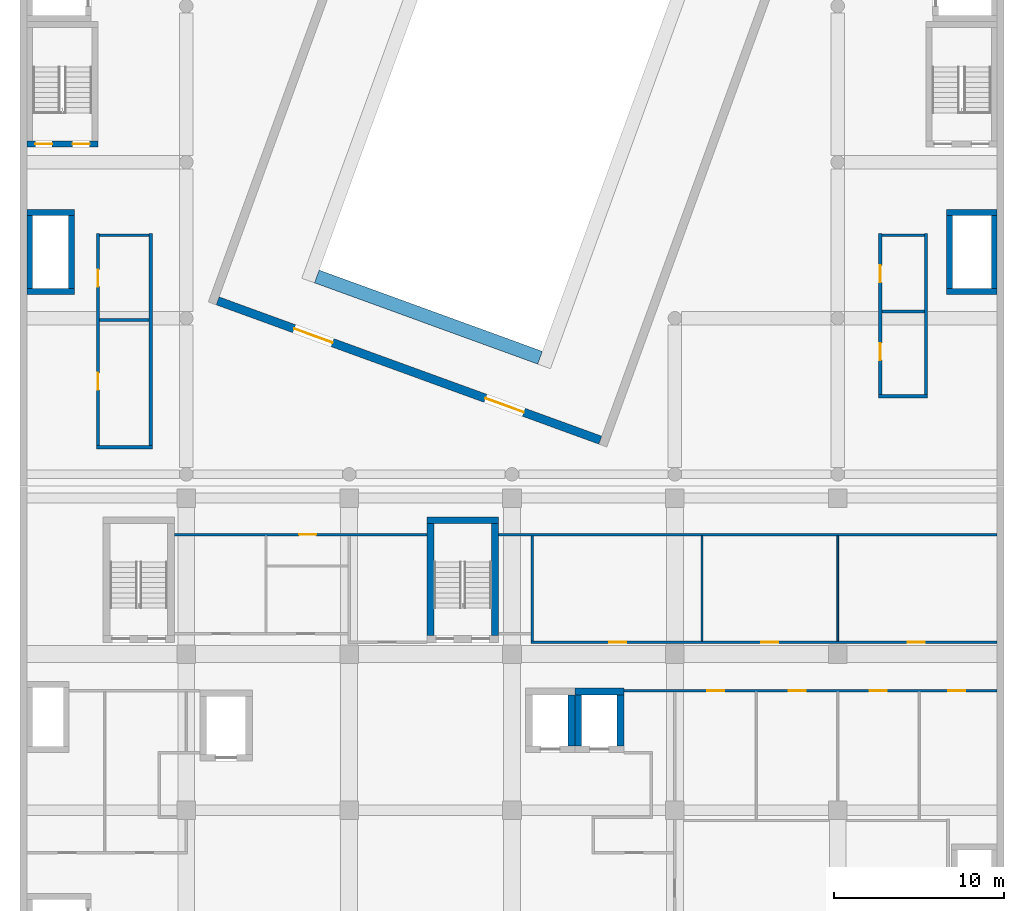
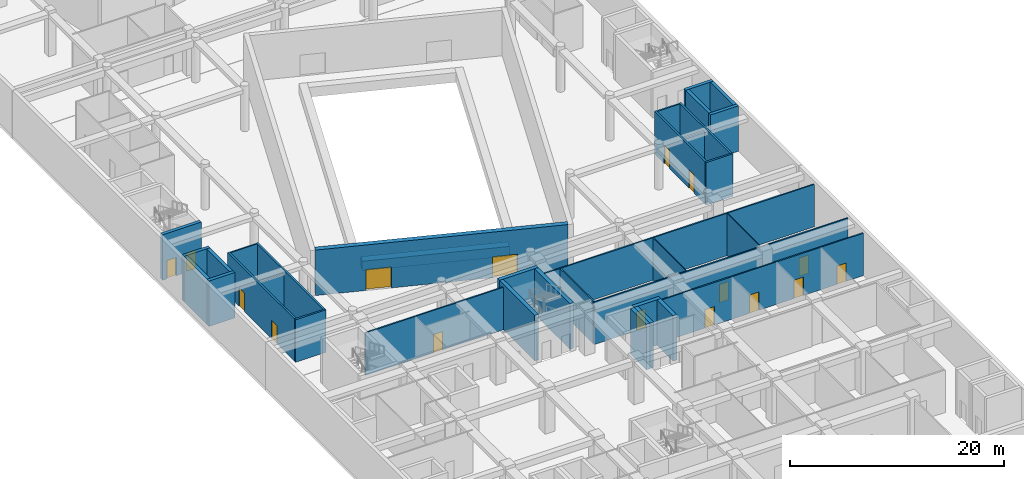
# One storey, part 11 of 31: 35 walls, 16 doors, 16 openings.
"""IFC4 building model written with IfcOpenShell, lengths in metres."""

from ifc_helpers import new_model, si_unit, direction, frame, frame_2d, origin, place, context, subcontext, project, spatial, rectangle, extrude, material, layer, layer_set, type_object, element, fill, save


model = new_model("IFC4")

# Units and contexts
model_context = context("Model", 3, precision=1e-05, world=origin(), true_north=direction((0.0, 1.0)))
body_context = subcontext(model_context, "Body", "Model", "MODEL_VIEW")
ifc_project = project(units=[si_unit("LENGTHUNIT", "METRE"), si_unit("AREAUNIT", "SQUARE_METRE"), si_unit("VOLUMEUNIT", "CUBIC_METRE"), si_unit("PLANEANGLEUNIT", "RADIAN"), si_unit("MASSUNIT", "GRAM", prefix="KILO")], contexts=[model_context])

# Site, building, storey
site_placement = place(None, origin())
site = spatial("IfcSite", under=ifc_project, at=site_placement, CompositionType="ELEMENT")
building_placement = place(site_placement, origin())
building = spatial("IfcBuilding", under=site, at=building_placement, Name="Nzadi Deep Aquarium and Research Tower", CompositionType="ELEMENT")
storey_placement = place(building_placement, frame((0.0, 0.0, 26.699951171875)))
storey = spatial("IfcBuildingStorey", under=building, at=storey_placement, Name="L04", CompositionType="ELEMENT", Elevation=26.699951171875)

# Walls
ifc_material_1 = material(Name="Blockwork masonry", Category="masonry")
ifc_layer_1 = layer(ifc_material_1, 0.10009765625)
ifc_layer_set_1 = layer_set([ifc_layer_1], Name="Blockwork masonry")
wall_type_1 = type_object("IfcWallType", Name="Partition 100 EI 30", PredefinedType="PARTITIONING", material=ifc_layer_set_1)
for number, where, z_axis, x_axis, name in (
    (1, (40.0, 37.574951171875, 0.0), (0.0, 0.0, 1.0), (0.0, 1.0, 0.0), "W-Z1-L04-P049"),
    (2, (48.0, 37.574951171875, 0.0), (0.0, 0.0, 1.0), (0.0, 1.0, 0.0), "W-Z1-L04-P055"),
):
    element("IfcWall", number, at=place(storey_placement, frame(where, z_axis=z_axis, x_axis=x_axis)), inside=storey, type_object=wall_type_1, Name=name, PredefinedType="PARTITIONING", context=body_context, shape_type="SweptSolid", body=[
        extrude(rectangle(XDim=6.199951171875, YDim=0.10009765625, at=frame_2d((3.10009765625, 0.0))), origin(), (0.0, 0.0, 1.0), 4.85009765625),
    ])

# Wall, opening, door
ifc_material_2 = material(Name="Blockwork masonry", Category="masonry")
ifc_layer_2 = layer(ifc_material_2, 0.14990234375)
ifc_layer_set_2 = layer_set([ifc_layer_2], Name="Blockwork masonry")
wall_type_2 = type_object("IfcWallType", Name="Partition 150 EI 60", PredefinedType="PARTITIONING", material=ifc_layer_set_2)
wall_1_placement = place(storey_placement, frame((8.906005859375, 43.85009765625, 0.0), z_axis=(0.0, 0.0, 1.0), x_axis=(1.0, 0.0, 0.0)))
wall_1 = element("IfcWall", 3, at=wall_1_placement, inside=storey, type_object=wall_type_2, Name="W-Z1-L04-P011", PredefinedType="PARTITIONING", context=body_context, shape_type="SweptSolid", body=[
    extrude(rectangle(XDim=14.887939453125, YDim=0.14990234375, at=frame_2d((7.44384765625, 0.0))), origin(), (0.0, 0.0, 1.0), 4.85009765625),
])
opening_1_placement = place(wall_1_placement, frame((7.343994140625, 0.0, 0.0)))
opening_1 = element("IfcOpeningElement", 4, at=opening_1_placement, cuts=wall_1, Name="Opening D051024", PredefinedType="OPENING", context=body_context, shape_type="SweptSolid", body=[
    extrude(rectangle(XDim=1.0, YDim=2.10009765625, at=frame_2d((0.5, 1.050048828125))), frame((0.0, 0.0849609375, 0.0), z_axis=(0.0, -1.0, 0.0), x_axis=(1.0, 0.0, 0.0)), (0.0, 0.0, 1.0), 0.169921875),
])
ifc_material_3 = material(Name="Fire-rated steel door", Category="steel")
ifc_layer_3 = layer(ifc_material_3, 0.050048828125)
ifc_layer_set_3 = layer_set([ifc_layer_3], Name="Fire-rated steel door")
door_type_1 = type_object("IfcDoorType", Name="Door 1000x2100 EI 60 single", OperationType="SINGLE_SWING_LEFT", PredefinedType="DOOR", material=ifc_layer_set_3)
door_1_placement = place(opening_1_placement, origin())
door_1 = element("IfcDoor", 5, at=door_1_placement, inside=storey, type_object=door_type_1, Name="D051024", OperationType="SINGLE_SWING_LEFT", OverallHeight=2.10009765625, OverallWidth=1.0, PredefinedType="DOOR", context=body_context, shape_type="SweptSolid", body=[
    extrude(rectangle(XDim=1.0, YDim=2.10009765625, at=frame_2d((0.5, 1.050048828125))), frame((0.0, 0.02490234375, 0.0), z_axis=(0.0, -1.0, 0.0), x_axis=(1.0, 0.0, 0.0)), (0.0, 0.0, 1.0), 0.050048828125),
])
fill(opening_1, door_1)

# Wall
wall_2_placement = place(storey_placement, frame((28.006103515625, 43.85009765625, 0.0), z_axis=(0.0, 0.0, 1.0), x_axis=(1.0, 0.0, 0.0)))
element("IfcWall", 6, at=wall_2_placement, inside=storey, type_object=wall_type_2, Name="W-Z1-L04-P026", PredefinedType="PARTITIONING", context=body_context, shape_type="SweptSolid", body=[
    extrude(rectangle(XDim=29.387939453125, YDim=0.14990234375, at=frame_2d((14.69384765625, 0.0))), origin(), (0.0, 0.0, 1.0), 4.85009765625),
])

# Wall, openings, doors
wall_3_placement = place(storey_placement, frame((29.925048828125, 37.5, 0.0), z_axis=(0.0, 0.0, 1.0), x_axis=(1.0, 0.0, 0.0)))
wall_3 = element("IfcWall", 7, at=wall_3_placement, inside=storey, type_object=wall_type_2, Name="W-Z1-L04-P033", PredefinedType="PARTITIONING", context=body_context, shape_type="SweptSolid", body=[
    extrude(rectangle(XDim=27.468994140625, YDim=0.14990234375, at=frame_2d((13.734375, 0.0))), origin(), (0.0, 0.0, 1.0), 4.85009765625),
])
opening_2_placement = place(wall_3_placement, frame((4.610107421875, 0.0, 0.0)))
opening_2 = element("IfcOpeningElement", 8, at=opening_2_placement, cuts=wall_3, Name="Opening D051017", PredefinedType="OPENING", context=body_context, shape_type="SweptSolid", body=[
    extrude(rectangle(XDim=1.0, YDim=2.10009765625, at=frame_2d((0.5, 1.050048828125))), frame((0.0, 0.0849609375, 0.0), z_axis=(0.0, -1.0, 0.0), x_axis=(1.0, 0.0, 0.0)), (0.0, 0.0, 1.0), 0.169921875),
])
opening_3_placement = place(wall_3_placement, frame((13.574951171875, 0.0, 0.0)))
opening_3 = element("IfcOpeningElement", 9, at=opening_3_placement, cuts=wall_3, Name="Opening D051018", PredefinedType="OPENING", context=body_context, shape_type="SweptSolid", body=[
    extrude(rectangle(XDim=1.0, YDim=2.10009765625, at=frame_2d((0.5, 1.050048828125))), frame((0.0, 0.0849609375, 0.0), z_axis=(0.0, -1.0, 0.0), x_axis=(1.0, 0.0, 0.0)), (0.0, 0.0, 1.0), 0.169921875),
])
opening_4_placement = place(wall_3_placement, frame((22.198974609375, 0.0, 0.0)))
opening_4 = element("IfcOpeningElement", 10, at=opening_4_placement, cuts=wall_3, Name="Opening D051019", PredefinedType="OPENING", context=body_context, shape_type="SweptSolid", body=[
    extrude(rectangle(XDim=1.0, YDim=2.10009765625, at=frame_2d((0.5, 1.050048828125))), frame((0.0, 0.0849609375, 0.0), z_axis=(0.0, -1.0, 0.0), x_axis=(1.0, 0.0, 0.0)), (0.0, 0.0, 1.0), 0.169921875),
])
door_2_placement = place(opening_2_placement, origin())
door_2 = element("IfcDoor", 11, at=door_2_placement, inside=storey, type_object=door_type_1, Name="D051017", OperationType="SINGLE_SWING_LEFT", OverallHeight=2.10009765625, OverallWidth=1.0, PredefinedType="DOOR", context=body_context, shape_type="SweptSolid", body=[
    extrude(rectangle(XDim=1.0, YDim=2.10009765625, at=frame_2d((0.5, 1.050048828125))), frame((0.0, 0.02490234375, 0.0), z_axis=(0.0, -1.0, 0.0), x_axis=(1.0, 0.0, 0.0)), (0.0, 0.0, 1.0), 0.050048828125),
])
fill(opening_2, door_2)
door_3_placement = place(opening_3_placement, origin())
door_3 = element("IfcDoor", 12, at=door_3_placement, inside=storey, type_object=door_type_1, Name="D051018", OperationType="SINGLE_SWING_RIGHT", OverallHeight=2.10009765625, OverallWidth=1.0, PredefinedType="DOOR", context=body_context, shape_type="SweptSolid", body=[
    extrude(rectangle(XDim=1.0, YDim=2.10009765625, at=frame_2d((0.5, 1.050048828125))), frame((0.0, 0.02490234375, 0.0), z_axis=(0.0, -1.0, 0.0), x_axis=(1.0, 0.0, 0.0)), (0.0, 0.0, 1.0), 0.050048828125),
])
fill(opening_3, door_3)
door_4_placement = place(opening_4_placement, origin())
door_4 = element("IfcDoor", 13, at=door_4_placement, inside=storey, type_object=door_type_1, Name="D051019", OperationType="SINGLE_SWING_RIGHT", OverallHeight=2.10009765625, OverallWidth=1.0, PredefinedType="DOOR", context=body_context, shape_type="SweptSolid", body=[
    extrude(rectangle(XDim=1.0, YDim=2.10009765625, at=frame_2d((0.5, 1.050048828125))), frame((0.0, 0.02490234375, 0.0), z_axis=(0.0, -1.0, 0.0), x_axis=(1.0, 0.0, 0.0)), (0.0, 0.0, 1.0), 0.050048828125),
])
fill(opening_4, door_4)

# Wall
wall_4_placement = place(storey_placement, frame((30.0, 37.574951171875, 0.0), z_axis=(0.0, 0.0, 1.0), x_axis=(0.0, 1.0, 0.0)))
element("IfcWall", 14, at=wall_4_placement, inside=storey, type_object=wall_type_2, Name="W-Z1-L04-P034", PredefinedType="PARTITIONING", context=body_context, shape_type="SweptSolid", body=[
    extrude(rectangle(XDim=6.199951171875, YDim=0.14990234375, at=frame_2d((3.10009765625, 0.0))), origin(), (0.0, 0.0, 1.0), 4.85009765625),
])

# Wall, openings, doors
wall_5_placement = place(storey_placement, frame((35.406005859375, 34.64990234375, 0.0), z_axis=(0.0, 0.0, 1.0), x_axis=(1.0, 0.0, 0.0)))
wall_5 = element("IfcWall", 15, at=wall_5_placement, inside=storey, type_object=wall_type_2, Name="W-Z1-L04-P040", PredefinedType="PARTITIONING", context=body_context, shape_type="SweptSolid", body=[
    extrude(rectangle(XDim=21.988037109375, YDim=0.14990234375, at=frame_2d((10.994140625, 0.0))), origin(), (0.0, 0.0, 1.0), 4.85009765625),
])
opening_5_placement = place(wall_5_placement, frame((4.89404296875, 0.0, 0.0)))
opening_5 = element("IfcOpeningElement", 16, at=opening_5_placement, cuts=wall_5, Name="Opening D051009", PredefinedType="OPENING", context=body_context, shape_type="SweptSolid", body=[
    extrude(rectangle(XDim=1.0, YDim=2.10009765625, at=frame_2d((0.5, 1.050048828125))), frame((0.0, 0.0849609375, 0.0), z_axis=(0.0, -1.0, 0.0), x_axis=(1.0, 0.0, 0.0)), (0.0, 0.0, 1.0), 0.169921875),
])
opening_6_placement = place(wall_5_placement, frame((9.694091796875, 0.0, 0.0)))
opening_6 = element("IfcOpeningElement", 17, at=opening_6_placement, cuts=wall_5, Name="Opening D051010", PredefinedType="OPENING", context=body_context, shape_type="SweptSolid", body=[
    extrude(rectangle(XDim=1.0, YDim=2.10009765625, at=frame_2d((0.5, 1.050048828125))), frame((0.0, 0.0849609375, 0.0), z_axis=(0.0, -1.0, 0.0), x_axis=(1.0, 0.0, 0.0)), (0.0, 0.0, 1.0), 0.169921875),
])
opening_7_placement = place(wall_5_placement, frame((14.493896484375, 0.0, 0.0)))
opening_7 = element("IfcOpeningElement", 18, at=opening_7_placement, cuts=wall_5, Name="Opening D051011", PredefinedType="OPENING", context=body_context, shape_type="SweptSolid", body=[
    extrude(rectangle(XDim=1.0, YDim=2.10009765625, at=frame_2d((0.5, 1.050048828125))), frame((0.0, 0.0849609375, 0.0), z_axis=(0.0, -1.0, 0.0), x_axis=(1.0, 0.0, 0.0)), (0.0, 0.0, 1.0), 0.169921875),
])
opening_8_placement = place(wall_5_placement, frame((19.117919921875, 0.0, 0.0)))
opening_8 = element("IfcOpeningElement", 19, at=opening_8_placement, cuts=wall_5, Name="Opening D051012", PredefinedType="OPENING", context=body_context, shape_type="SweptSolid", body=[
    extrude(rectangle(XDim=1.0, YDim=2.10009765625, at=frame_2d((0.5, 1.050048828125))), frame((0.0, 0.0849609375, 0.0), z_axis=(0.0, -1.0, 0.0), x_axis=(1.0, 0.0, 0.0)), (0.0, 0.0, 1.0), 0.169921875),
])
door_5_placement = place(opening_5_placement, origin())
door_5 = element("IfcDoor", 20, at=door_5_placement, inside=storey, type_object=door_type_1, Name="D051009", OperationType="SINGLE_SWING_RIGHT", OverallHeight=2.10009765625, OverallWidth=1.0, PredefinedType="DOOR", context=body_context, shape_type="SweptSolid", body=[
    extrude(rectangle(XDim=1.0, YDim=2.10009765625, at=frame_2d((0.5, 1.050048828125))), frame((0.0, 0.02490234375, 0.0), z_axis=(0.0, -1.0, 0.0), x_axis=(1.0, 0.0, 0.0)), (0.0, 0.0, 1.0), 0.050048828125),
])
fill(opening_5, door_5)
door_6_placement = place(opening_6_placement, origin())
door_6 = element("IfcDoor", 21, at=door_6_placement, inside=storey, type_object=door_type_1, Name="D051010", OperationType="SINGLE_SWING_RIGHT", OverallHeight=2.10009765625, OverallWidth=1.0, PredefinedType="DOOR", context=body_context, shape_type="SweptSolid", body=[
    extrude(rectangle(XDim=1.0, YDim=2.10009765625, at=frame_2d((0.5, 1.050048828125))), frame((0.0, 0.02490234375, 0.0), z_axis=(0.0, -1.0, 0.0), x_axis=(1.0, 0.0, 0.0)), (0.0, 0.0, 1.0), 0.050048828125),
])
fill(opening_6, door_6)
door_7_placement = place(opening_7_placement, origin())
door_7 = element("IfcDoor", 22, at=door_7_placement, inside=storey, type_object=door_type_1, Name="D051011", OperationType="SINGLE_SWING_LEFT", OverallHeight=2.10009765625, OverallWidth=1.0, PredefinedType="DOOR", context=body_context, shape_type="SweptSolid", body=[
    extrude(rectangle(XDim=1.0, YDim=2.10009765625, at=frame_2d((0.5, 1.050048828125))), frame((0.0, 0.02490234375, 0.0), z_axis=(0.0, -1.0, 0.0), x_axis=(1.0, 0.0, 0.0)), (0.0, 0.0, 1.0), 0.050048828125),
])
fill(opening_7, door_7)
door_8_placement = place(opening_8_placement, origin())
door_8 = element("IfcDoor", 23, at=door_8_placement, inside=storey, type_object=door_type_1, Name="D051012", OperationType="SINGLE_SWING_LEFT", OverallHeight=2.10009765625, OverallWidth=1.0, PredefinedType="DOOR", context=body_context, shape_type="SweptSolid", body=[
    extrude(rectangle(XDim=1.0, YDim=2.10009765625, at=frame_2d((0.5, 1.050048828125))), frame((0.0, 0.02490234375, 0.0), z_axis=(0.0, -1.0, 0.0), x_axis=(1.0, 0.0, 0.0)), (0.0, 0.0, 1.0), 0.050048828125),
])
fill(opening_8, door_8)

# Walls
wall_6_placement = place(storey_placement, frame((4.5, 61.5, 0.0), z_axis=(0.0, 0.0, 1.0), x_axis=(1.0, 0.0, 0.0)))
element("IfcWall", 24, at=wall_6_placement, inside=storey, type_object=wall_type_2, Name="W-Z2-L04-P009", PredefinedType="PARTITIONING", context=body_context, shape_type="SweptSolid", body=[
    extrude(rectangle(XDim=2.89990234375, YDim=0.14990234375, at=frame_2d((1.449951171875, 0.0))), origin(), (0.0, 0.0, 1.0), 4.85009765625),
])
wall_7_placement = place(storey_placement, frame((50.60009765625, 61.5, 0.0), z_axis=(0.0, 0.0, 1.0), x_axis=(1.0, 0.0, 0.0)))
element("IfcWall", 25, at=wall_7_placement, inside=storey, type_object=wall_type_2, Name="W-Z2-L04-P019", PredefinedType="PARTITIONING", context=body_context, shape_type="SweptSolid", body=[
    extrude(rectangle(XDim=2.5, YDim=0.14990234375, at=frame_2d((1.25, 0.0))), origin(), (0.0, 0.0, 1.0), 4.85009765625),
])
ifc_material_4 = material(Name="Blockwork masonry", Category="masonry")
ifc_layer_4 = layer(ifc_material_4, 0.199951171875)
ifc_layer_set_4 = layer_set([ifc_layer_4], Name="Blockwork masonry")
wall_type_3 = type_object("IfcWallType", Name="Partition 200 EI 120", PredefinedType="PARTITIONING", material=ifc_layer_set_4)
wall_8_placement = place(storey_placement, frame((4.300048828125, 49.0, 0.0), z_axis=(0.0, 0.0, 1.0), x_axis=(1.0, 0.0, 0.0)))
element("IfcWall", 26, at=wall_8_placement, inside=storey, type_object=wall_type_3, Name="W-Z2-L04-P001", PredefinedType="PARTITIONING", context=body_context, shape_type="SweptSolid", body=[
    extrude(rectangle(XDim=3.300048828125, YDim=0.199951171875, at=frame_2d((1.64990234375, 0.0))), origin(), (0.0, 0.0, 1.0), 4.85009765625),
])

# Wall, openings, doors
wall_9_placement = place(storey_placement, frame((4.39990234375, 49.10009765625, 0.0), z_axis=(0.0, 0.0, 1.0), x_axis=(0.0, 1.0, 0.0)))
wall_9 = element("IfcWall", 27, at=wall_9_placement, inside=storey, type_object=wall_type_3, Name="W-Z2-L04-P002", PredefinedType="PARTITIONING", context=body_context, shape_type="SweptSolid", body=[
    extrude(rectangle(XDim=12.5, YDim=0.199951171875, at=frame_2d((6.25, 0.0))), origin(), (0.0, 0.0, 1.0), 4.85009765625),
])
opening_9_placement = place(wall_9_placement, frame((3.284912109375, 0.0, 0.0)))
opening_9 = element("IfcOpeningElement", 28, at=opening_9_placement, cuts=wall_9, Name="Opening D052001", PredefinedType="OPENING", context=body_context, shape_type="SweptSolid", body=[
    extrude(rectangle(XDim=1.0, YDim=2.10009765625, at=frame_2d((0.5, 1.050048828125))), frame((0.0, 0.110107421875, 0.0), z_axis=(0.0, -1.0, 0.0), x_axis=(1.0, 0.0, 0.0)), (0.0, 0.0, 1.0), 0.22021484375),
])
opening_10_placement = place(wall_9_placement, frame((9.364990234375, 0.0, 0.0)))
opening_10 = element("IfcOpeningElement", 29, at=opening_10_placement, cuts=wall_9, Name="Opening D052002", PredefinedType="OPENING", context=body_context, shape_type="SweptSolid", body=[
    extrude(rectangle(XDim=1.0, YDim=2.10009765625, at=frame_2d((0.5, 1.050048828125))), frame((0.0, 0.110107421875, 0.0), z_axis=(0.0, -1.0, 0.0), x_axis=(1.0, 0.0, 0.0)), (0.0, 0.0, 1.0), 0.22021484375),
])
ifc_material_5 = material(Name="Fire-rated steel door", Category="steel")
ifc_layer_5 = layer(ifc_material_5, 0.050048828125)
ifc_layer_set_5 = layer_set([ifc_layer_5], Name="Fire-rated steel door")
door_type_2 = type_object("IfcDoorType", Name="Door 1000x2100 EI 120 single", OperationType="SINGLE_SWING_LEFT", PredefinedType="DOOR", material=ifc_layer_set_5)
door_9_placement = place(opening_9_placement, origin())
door_9 = element("IfcDoor", 30, at=door_9_placement, inside=storey, type_object=door_type_2, Name="D052001", OperationType="SINGLE_SWING_RIGHT", OverallHeight=2.10009765625, OverallWidth=1.0, PredefinedType="DOOR", context=body_context, shape_type="SweptSolid", body=[
    extrude(rectangle(XDim=1.0, YDim=2.10009765625, at=frame_2d((0.5, 1.050048828125))), frame((0.0, 0.02490234375, 0.0), z_axis=(0.0, -1.0, 0.0), x_axis=(1.0, 0.0, 0.0)), (0.0, 0.0, 1.0), 0.050048828125),
])
fill(opening_9, door_9)
door_10_placement = place(opening_10_placement, origin())
door_10 = element("IfcDoor", 31, at=door_10_placement, inside=storey, type_object=door_type_2, Name="D052002", OperationType="SINGLE_SWING_LEFT", OverallHeight=2.10009765625, OverallWidth=1.0, PredefinedType="DOOR", context=body_context, shape_type="SweptSolid", body=[
    extrude(rectangle(XDim=1.0, YDim=2.10009765625, at=frame_2d((0.5, 1.050048828125))), frame((0.0, 0.02490234375, 0.0), z_axis=(0.0, -1.0, 0.0), x_axis=(1.0, 0.0, 0.0)), (0.0, 0.0, 1.0), 0.050048828125),
])
fill(opening_10, door_10)

# Walls
wall_10_placement = place(storey_placement, frame((7.5, 49.10009765625, 0.0), z_axis=(0.0, 0.0, 1.0), x_axis=(0.0, 1.0, 0.0)))
element("IfcWall", 32, at=wall_10_placement, inside=storey, type_object=wall_type_3, Name="W-Z2-L04-P010", PredefinedType="PARTITIONING", context=body_context, shape_type="SweptSolid", body=[
    extrude(rectangle(XDim=12.5, YDim=0.199951171875, at=frame_2d((6.25, 0.0))), origin(), (0.0, 0.0, 1.0), 4.85009765625),
])
wall_11_placement = place(storey_placement, frame((50.39990234375, 52.0, 0.0), z_axis=(0.0, 0.0, 1.0), x_axis=(1.0, 0.0, 0.0)))
element("IfcWall", 33, at=wall_11_placement, inside=storey, type_object=wall_type_3, Name="W-Z2-L04-P016", PredefinedType="PARTITIONING", context=body_context, shape_type="SweptSolid", body=[
    extrude(rectangle(XDim=2.900146484375, YDim=0.199951171875, at=frame_2d((1.4501953125, 0.0))), origin(), (0.0, 0.0, 1.0), 4.85009765625),
])

# Wall, openings, doors
wall_12_placement = place(storey_placement, frame((50.5, 52.10009765625, 0.0), z_axis=(0.0, 0.0, 1.0), x_axis=(0.0, 1.0, 0.0)))
wall_12 = element("IfcWall", 34, at=wall_12_placement, inside=storey, type_object=wall_type_3, Name="W-Z2-L04-P017", PredefinedType="PARTITIONING", context=body_context, shape_type="SweptSolid", body=[
    extrude(rectangle(XDim=9.5, YDim=0.199951171875, at=frame_2d((4.75, 0.0))), origin(), (0.0, 0.0, 1.0), 4.85009765625),
])
opening_11_placement = place(wall_12_placement, frame((2.034912109375, 0.0, 0.0)))
opening_11 = element("IfcOpeningElement", 35, at=opening_11_placement, cuts=wall_12, Name="Opening D052003", PredefinedType="OPENING", context=body_context, shape_type="SweptSolid", body=[
    extrude(rectangle(XDim=1.0, YDim=2.10009765625, at=frame_2d((0.5, 1.050048828125))), frame((0.0, 0.110107421875, 0.0), z_axis=(0.0, -1.0, 0.0), x_axis=(1.0, 0.0, 0.0)), (0.0, 0.0, 1.0), 0.22021484375),
])
opening_12_placement = place(wall_12_placement, frame((6.614990234375, 0.0, 0.0)))
opening_12 = element("IfcOpeningElement", 36, at=opening_12_placement, cuts=wall_12, Name="Opening D052004", PredefinedType="OPENING", context=body_context, shape_type="SweptSolid", body=[
    extrude(rectangle(XDim=1.0, YDim=2.10009765625, at=frame_2d((0.5, 1.050048828125))), frame((0.0, 0.110107421875, 0.0), z_axis=(0.0, -1.0, 0.0), x_axis=(1.0, 0.0, 0.0)), (0.0, 0.0, 1.0), 0.22021484375),
])
door_11_placement = place(opening_11_placement, origin())
door_11 = element("IfcDoor", 37, at=door_11_placement, inside=storey, type_object=door_type_2, Name="D052003", OperationType="SINGLE_SWING_RIGHT", OverallHeight=2.10009765625, OverallWidth=1.0, PredefinedType="DOOR", context=body_context, shape_type="SweptSolid", body=[
    extrude(rectangle(XDim=1.0, YDim=2.10009765625, at=frame_2d((0.5, 1.050048828125))), frame((0.0, 0.02490234375, 0.0), z_axis=(0.0, -1.0, 0.0), x_axis=(1.0, 0.0, 0.0)), (0.0, 0.0, 1.0), 0.050048828125),
])
fill(opening_11, door_11)
door_12_placement = place(opening_12_placement, origin())
door_12 = element("IfcDoor", 38, at=door_12_placement, inside=storey, type_object=door_type_2, Name="D052004", OperationType="SINGLE_SWING_LEFT", OverallHeight=2.10009765625, OverallWidth=1.0, PredefinedType="DOOR", context=body_context, shape_type="SweptSolid", body=[
    extrude(rectangle(XDim=1.0, YDim=2.10009765625, at=frame_2d((0.5, 1.050048828125))), frame((0.0, 0.02490234375, 0.0), z_axis=(0.0, -1.0, 0.0), x_axis=(1.0, 0.0, 0.0)), (0.0, 0.0, 1.0), 0.050048828125),
])
fill(opening_12, door_12)

# Walls
wall_13_placement = place(storey_placement, frame((53.199951171875, 52.10009765625, 0.0), z_axis=(0.0, 0.0, 1.0), x_axis=(0.0, 1.0, 0.0)))
element("IfcWall", 39, at=wall_13_placement, inside=storey, type_object=wall_type_3, Name="W-Z2-L04-P020", PredefinedType="PARTITIONING", context=body_context, shape_type="SweptSolid", body=[
    extrude(rectangle(XDim=9.5, YDim=0.199951171875, at=frame_2d((4.75, 0.0))), origin(), (0.0, 0.0, 1.0), 4.85009765625),
])
ifc_material_6 = material(Name="Blockwork masonry", Category="masonry")
ifc_layer_6 = layer(ifc_material_6, 0.199951171875)
ifc_layer_set_6 = layer_set([ifc_layer_6], Name="Blockwork masonry")
wall_type_4 = type_object("IfcWallType", Name="Partition 200 EI 120, 4.45 m high", PredefinedType="PARTITIONING", material=ifc_layer_set_6)
wall_14_placement = place(storey_placement, frame((4.5, 56.5, 0.0), z_axis=(0.0, 0.0, 1.0), x_axis=(1.0, 0.0, 0.0)))
element("IfcWall", 40, at=wall_14_placement, inside=storey, type_object=wall_type_4, Name="W-Z2-L04-P008", PredefinedType="PARTITIONING", context=body_context, shape_type="SweptSolid", body=[
    extrude(rectangle(XDim=2.89990234375, YDim=0.199951171875, at=frame_2d((1.449951171875, 0.0))), origin(), (0.0, 0.0, 1.0), 4.449951171875),
])
wall_15_placement = place(storey_placement, frame((50.60009765625, 57.0, 0.0), z_axis=(0.0, 0.0, 1.0), x_axis=(1.0, 0.0, 0.0)))
element("IfcWall", 41, at=wall_15_placement, inside=storey, type_object=wall_type_4, Name="W-Z2-L04-P018", PredefinedType="PARTITIONING", context=body_context, shape_type="SweptSolid", body=[
    extrude(rectangle(XDim=2.5, YDim=0.199951171875, at=frame_2d((1.25, 0.0))), origin(), (0.0, 0.0, 1.0), 4.449951171875),
])

# Wall, openings, doors
ifc_material_7 = material(Name="Concrete C35/45", Category="concrete")
ifc_layer_7 = layer(ifc_material_7, 0.35009765625)
ifc_layer_set_7 = layer_set([ifc_layer_7], Name="Concrete C35/45")
wall_type_5 = type_object("IfcWallType", Name="RC core wall 350", PredefinedType="SHEAR", material=ifc_layer_set_7)
wall_16_placement = place(storey_placement, frame((0.199951171875, 66.875, 0.0), z_axis=(0.0, 0.0, 1.0), x_axis=(1.0, 0.0, 0.0)))
wall_16 = element("IfcWall", 42, at=wall_16_placement, inside=storey, type_object=wall_type_5, Name="W-CORE-ST-Z2-W-L04-S", PredefinedType="SHEAR", context=body_context, shape_type="SweptSolid", body=[
    extrude(rectangle(XDim=4.199951171875, YDim=0.35009765625, at=frame_2d((2.10009765625, 0.0))), origin(), (0.0, 0.0, 1.0), 5.199951171875),
])
opening_13_placement = place(wall_16_placement, frame((0.5, 0.0, 0.0)))
opening_13 = element("IfcOpeningElement", 43, at=opening_13_placement, cuts=wall_16, Name="Opening DS-Z2-W-L04A", PredefinedType="OPENING", context=body_context, shape_type="SweptSolid", body=[
    extrude(rectangle(XDim=1.0, YDim=2.10009765625, at=frame_2d((0.5, 1.050048828125))), frame((0.0, 0.18505859375, 0.0), z_axis=(0.0, -1.0, 0.0), x_axis=(1.0, 0.0, 0.0)), (0.0, 0.0, 1.0), 0.3701171875),
])
opening_14_placement = place(wall_16_placement, frame((2.699951171875, 0.0, 0.0)))
opening_14 = element("IfcOpeningElement", 44, at=opening_14_placement, cuts=wall_16, Name="Opening DS-Z2-W-L04B", PredefinedType="OPENING", context=body_context, shape_type="SweptSolid", body=[
    extrude(rectangle(XDim=1.0, YDim=2.10009765625, at=frame_2d((0.5, 1.050048828125))), frame((0.0, 0.18505859375, 0.0), z_axis=(0.0, -1.0, 0.0), x_axis=(1.0, 0.0, 0.0)), (0.0, 0.0, 1.0), 0.3701171875),
])
ifc_material_8 = material(Name="Steel, powder coated", Category="steel")
door_type_3 = type_object("IfcDoorType", Name="STAIR DOOR 1000x2100 EI 60", OperationType="SINGLE_SWING_LEFT", PredefinedType="DOOR", material=ifc_material_8)
door_13_placement = place(opening_13_placement, origin())
door_13 = element("IfcDoor", 45, at=door_13_placement, inside=storey, type_object=door_type_3, Name="Stair door ST-Z2-W L04 A", OperationType="SINGLE_SWING_RIGHT", OverallHeight=2.10009765625, OverallWidth=1.0, PredefinedType="DOOR", context=body_context, shape_type="SweptSolid", body=[
    extrude(rectangle(XDim=1.0, YDim=2.10009765625, at=frame_2d((0.5, 1.050048828125))), frame((0.0, 0.02490234375, 0.0), z_axis=(0.0, -1.0, 0.0), x_axis=(1.0, 0.0, 0.0)), (0.0, 0.0, 1.0), 0.050048828125),
])
fill(opening_13, door_13)
door_14_placement = place(opening_14_placement, origin())
door_14 = element("IfcDoor", 46, at=door_14_placement, inside=storey, type_object=door_type_3, Name="Stair door ST-Z2-W L04 B", OperationType="SINGLE_SWING_LEFT", OverallHeight=2.10009765625, OverallWidth=1.0, PredefinedType="DOOR", context=body_context, shape_type="SweptSolid", body=[
    extrude(rectangle(XDim=1.0, YDim=2.10009765625, at=frame_2d((0.5, 1.050048828125))), frame((0.0, 0.02490234375, 0.0), z_axis=(0.0, -1.0, 0.0), x_axis=(1.0, 0.0, 0.0)), (0.0, 0.0, 1.0), 0.050048828125),
])
fill(opening_14, door_14)

# Walls
for number, where, z_axis, x_axis, name in (
    (47, (0.199951171875, 58.175048828125, 0.0), (0.0, 0.0, 1.0), (1.0, 0.0, 0.0), "W-CORE-RS-Z2-W-L04-S"),
    (48, (0.199951171875, 62.824951171875, 0.0), (0.0, 0.0, 1.0), (1.0, 0.0, 0.0), "W-CORE-RS-Z2-W-L04-N"),
):
    element("IfcWall", number, at=place(storey_placement, frame(where, z_axis=z_axis, x_axis=x_axis)), inside=storey, type_object=wall_type_5, Name=name, PredefinedType="SHEAR", context=body_context, shape_type="SweptSolid", body=[
        extrude(rectangle(XDim=2.800048828125, YDim=0.35009765625, at=frame_2d((1.39990234375, 0.0))), origin(), (0.0, 0.0, 1.0), 5.199951171875),
    ])
for number, where, z_axis, x_axis, name in (
    (49, (0.375, 58.35009765625, 0.0), (0.0, 0.0, 1.0), (0.0, 1.0, 0.0), "W-CORE-RS-Z2-W-L04-W"),
    (50, (2.824951171875, 58.35009765625, 0.0), (0.0, 0.0, 1.0), (0.0, 1.0, 0.0), "W-CORE-RS-Z2-W-L04-E"),
):
    element("IfcWall", number, at=place(storey_placement, frame(where, z_axis=z_axis, x_axis=x_axis)), inside=storey, type_object=wall_type_5, Name=name, PredefinedType="SHEAR", context=body_context, shape_type="SweptSolid", body=[
        extrude(rectangle(XDim=4.2998046875, YDim=0.35009765625, at=frame_2d((2.14990234375, 0.0))), origin(), (0.0, 0.0, 1.0), 5.199951171875),
    ])
for number, where, z_axis, x_axis, name in (
    (51, (54.39990234375, 58.175048828125, 0.0), (0.0, 0.0, 1.0), (1.0, 0.0, 0.0), "W-CORE-RS-Z2-E-L04-S"),
    (52, (54.39990234375, 62.824951171875, 0.0), (0.0, 0.0, 1.0), (1.0, 0.0, 0.0), "W-CORE-RS-Z2-E-L04-N"),
):
    element("IfcWall", number, at=place(storey_placement, frame(where, z_axis=z_axis, x_axis=x_axis)), inside=storey, type_object=wall_type_5, Name=name, PredefinedType="SHEAR", context=body_context, shape_type="SweptSolid", body=[
        extrude(rectangle(XDim=3.0, YDim=0.35009765625, at=frame_2d((1.5, 0.0))), origin(), (0.0, 0.0, 1.0), 5.199951171875),
    ])
for number, where, z_axis, x_axis, name in (
    (53, (54.574951171875, 58.35009765625, 0.0), (0.0, 0.0, 1.0), (0.0, 1.0, 0.0), "W-CORE-RS-Z2-E-L04-W"),
    (54, (57.22509765625, 58.35009765625, 0.0), (0.0, 0.0, 1.0), (0.0, 1.0, 0.0), "W-CORE-RS-Z2-E-L04-E"),
):
    element("IfcWall", number, at=place(storey_placement, frame(where, z_axis=z_axis, x_axis=x_axis)), inside=storey, type_object=wall_type_5, Name=name, PredefinedType="SHEAR", context=body_context, shape_type="SweptSolid", body=[
        extrude(rectangle(XDim=4.2998046875, YDim=0.35009765625, at=frame_2d((2.14990234375, 0.0))), origin(), (0.0, 0.0, 1.0), 5.199951171875),
    ])
ifc_material_9 = material(Name="Concrete C35/45", Category="concrete")
ifc_layer_8 = layer(ifc_material_9, 0.39990234375)
ifc_layer_set_8 = layer_set([ifc_layer_8], Name="Concrete C35/45")
wall_type_6 = type_object("IfcWallType", Name="RC core wall 400", PredefinedType="SHEAR", material=ifc_layer_set_8)
wall_17_placement = place(storey_placement, frame((23.800048828125, 44.699951171875, 0.0), z_axis=(0.0, 0.0, 1.0), x_axis=(1.0, 0.0, 0.0)))
element("IfcWall", 55, at=wall_17_placement, inside=storey, type_object=wall_type_6, Name="W-CORE-ST-Z1-NE-L04-N", PredefinedType="SHEAR", context=body_context, shape_type="SweptSolid", body=[
    extrude(rectangle(XDim=4.199951171875, YDim=0.39990234375, at=frame_2d((2.10009765625, 0.0))), origin(), (0.0, 0.0, 1.0), 5.199951171875),
])
for number, where, z_axis, x_axis, name in (
    (56, (24.0, 37.89990234375, 0.0), (0.0, 0.0, 1.0), (0.0, 1.0, 0.0), "W-CORE-ST-Z1-NE-L04-W"),
    (57, (27.800048828125, 37.89990234375, 0.0), (0.0, 0.0, 1.0), (0.0, 1.0, 0.0), "W-CORE-ST-Z1-NE-L04-E"),
):
    element("IfcWall", number, at=place(storey_placement, frame(where, z_axis=z_axis, x_axis=x_axis)), inside=storey, type_object=wall_type_6, Name=name, PredefinedType="SHEAR", context=body_context, shape_type="SweptSolid", body=[
        extrude(rectangle(XDim=6.60009765625, YDim=0.39990234375, at=frame_2d((3.300048828125, 0.0))), origin(), (0.0, 0.0, 1.0), 5.199951171875),
    ])
wall_18_placement = place(storey_placement, frame((32.300048828125, 31.39990234375, 0.0), z_axis=(0.0, 0.0, 1.0), x_axis=(0.0, 1.0, 0.0)))
element("IfcWall", 58, at=wall_18_placement, inside=storey, type_object=wall_type_6, Name="W-CORE-TL3-L04-E", PredefinedType="SHEAR", context=body_context, shape_type="SweptSolid", body=[
    extrude(rectangle(XDim=3.0, YDim=0.39990234375, at=frame_2d((1.5, 0.0))), origin(), (0.0, 0.0, 1.0), 5.199951171875),
])
wall_19_placement = place(storey_placement, frame((32.5, 34.60009765625, 0.0), z_axis=(0.0, 0.0, 1.0), x_axis=(1.0, 0.0, 0.0)))
element("IfcWall", 59, at=wall_19_placement, inside=storey, type_object=wall_type_6, Name="W-CORE-TL4-L04-N", PredefinedType="SHEAR", context=body_context, shape_type="SweptSolid", body=[
    extrude(rectangle(XDim=2.89990234375, YDim=0.39990234375, at=frame_2d((1.449951171875, 0.0))), origin(), (0.0, 0.0, 1.0), 5.199951171875),
])
for number, where, z_axis, x_axis, name in (
    (60, (32.699951171875, 31.39990234375, 0.0), (0.0, 0.0, 1.0), (0.0, 1.0, 0.0), "W-CORE-TL4-L04-W"),
    (61, (35.199951171875, 31.39990234375, 0.0), (0.0, 0.0, 1.0), (0.0, 1.0, 0.0), "W-CORE-TL4-L04-E"),
):
    element("IfcWall", number, at=place(storey_placement, frame(where, z_axis=z_axis, x_axis=x_axis)), inside=storey, type_object=wall_type_6, Name=name, PredefinedType="SHEAR", context=body_context, shape_type="SweptSolid", body=[
        extrude(rectangle(XDim=3.0, YDim=0.39990234375, at=frame_2d((1.5, 0.0))), origin(), (0.0, 0.0, 1.0), 5.199951171875),
    ])

# Wall, openings, doors
ifc_material_10 = material(Name="Concrete C35/45", Category="concrete")
ifc_layer_9 = layer(ifc_material_10, 0.5)
ifc_layer_set_9 = layer_set([ifc_layer_9], Name="Concrete C35/45")
wall_type_7 = type_object("IfcWallType", Name="RC envelope wall 500", PredefinedType="SHEAR", material=ifc_layer_set_9)
wall_20_placement = place(storey_placement, frame((11.452880859375, 57.624755859375, 0.0), z_axis=(0.0, 0.0, 1.0), x_axis=(0.939691804709, -0.342022385471, 0.0)))
wall_20 = element("IfcWall", 62, at=wall_20_placement, inside=storey, type_object=wall_type_7, Name="W-PR-L04-S", PredefinedType="SHEAR", context=body_context, shape_type="SweptSolid", body=[
    extrude(rectangle(XDim=24.0, YDim=0.5, at=frame_2d((12.0, 0.0))), origin(), (0.0, 0.0, 1.0), 5.199951171875),
])
opening_15_placement = place(wall_20_placement, frame((4.800048828125, 0.0, 0.0)))
opening_15 = element("IfcOpeningElement", 63, at=opening_15_placement, cuts=wall_20, Name="Opening D052010", PredefinedType="OPENING", context=body_context, shape_type="SweptSolid", body=[
    extrude(rectangle(XDim=2.39990234375, YDim=2.39990234375, at=frame_2d((1.199951171875, 1.199951171875))), frame((0.0, 0.260009765625, 0.0), z_axis=(0.0, -1.0, 0.0), x_axis=(1.0, 0.0, 0.0)), (0.0, 0.0, 1.0), 0.52001953125),
])
opening_16_placement = place(wall_20_placement, frame((16.800048828125, 0.0, 0.0)))
opening_16 = element("IfcOpeningElement", 64, at=opening_16_placement, cuts=wall_20, Name="Opening D052012", PredefinedType="OPENING", context=body_context, shape_type="SweptSolid", body=[
    extrude(rectangle(XDim=2.39990234375, YDim=2.39990234375, at=frame_2d((1.199951171875, 1.199951171875))), frame((0.0, 0.260009765625, 0.0), z_axis=(0.0, -1.0, 0.0), x_axis=(1.0, 0.0, 0.0)), (0.0, 0.0, 1.0), 0.52001953125),
])
ifc_material_11 = material(Name="Fire-rated steel door", Category="steel")
ifc_layer_10 = layer(ifc_material_11, 0.050048828125)
ifc_layer_set_10 = layer_set([ifc_layer_10], Name="Fire-rated steel door")
door_type_4 = type_object("IfcDoorType", Name="Door 2400x2400 EI 120 double", OperationType="DOUBLE_DOOR_SINGLE_SWING", PredefinedType="DOOR", material=ifc_layer_set_10)
door_15_placement = place(opening_15_placement, origin())
door_15 = element("IfcDoor", 65, at=door_15_placement, inside=storey, type_object=door_type_4, Name="D052010", OperationType="DOUBLE_DOOR_SINGLE_SWING", OverallHeight=2.39990234375, OverallWidth=2.39990234375, PredefinedType="DOOR", context=body_context, shape_type="SweptSolid", body=[
    extrude(rectangle(XDim=2.39990234375, YDim=2.39990234375, at=frame_2d((1.199951171875, 1.199951171875))), frame((0.0, 0.02490234375, 0.0), z_axis=(0.0, -1.0, 0.0), x_axis=(1.0, 0.0, 0.0)), (0.0, 0.0, 1.0), 0.050048828125),
])
fill(opening_15, door_15)
door_16_placement = place(opening_16_placement, origin())
door_16 = element("IfcDoor", 66, at=door_16_placement, inside=storey, type_object=door_type_4, Name="D052012", OperationType="DOUBLE_DOOR_SINGLE_SWING", OverallHeight=2.39990234375, OverallWidth=2.39990234375, PredefinedType="DOOR", context=body_context, shape_type="SweptSolid", body=[
    extrude(rectangle(XDim=2.39990234375, YDim=2.39990234375, at=frame_2d((1.199951171875, 1.199951171875))), frame((0.0, 0.02490234375, 0.0), z_axis=(0.0, -1.0, 0.0), x_axis=(1.0, 0.0, 0.0)), (0.0, 0.0, 1.0), 0.050048828125),
])
fill(opening_16, door_16)

# Wall
ifc_material_12 = material(Name="Concrete C40/50", Category="concrete")
ifc_layer_11 = layer(ifc_material_12, 0.800048828125)
ifc_layer_set_11 = layer_set([ifc_layer_11], Name="Concrete C40/50")
wall_type_8 = type_object("IfcWallType", Name="RC tank wall 800 C40/50", PredefinedType="SOLIDWALL", material=ifc_layer_set_11)
wall_21_placement = place(storey_placement, frame((17.297119140625, 59.0625, 0.0), z_axis=(0.0, 0.0, 1.0), x_axis=(0.939690020578, -0.342027287253, 0.0)))
element("IfcWall", 67, at=wall_21_placement, inside=storey, type_object=wall_type_8, Name="W-TK-L04-S", PredefinedType="SOLIDWALL", context=body_context, shape_type="SweptSolid", body=[
    extrude(rectangle(XDim=13.999755859375, YDim=0.800048828125, at=frame_2d((7.0, 0.0))), origin(), (0.0, 0.0, 1.0), 1.10009765625),
])

save(model, "model.ifc")
